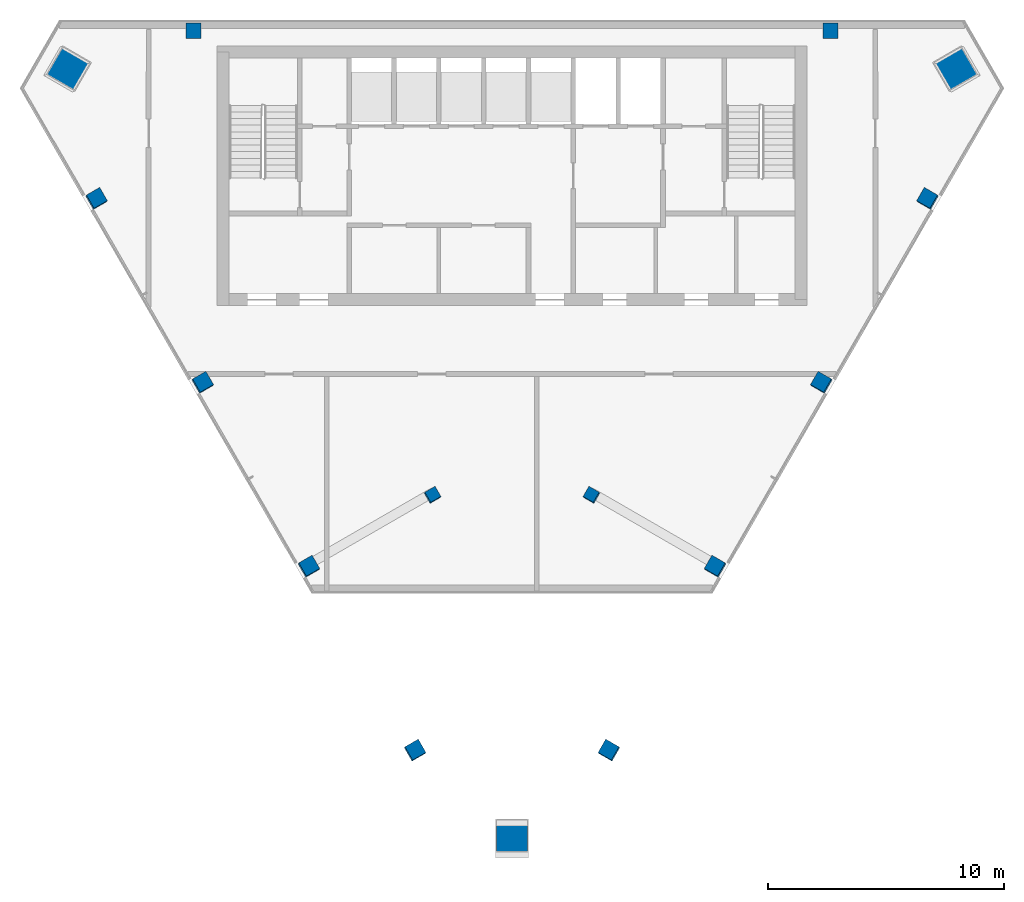
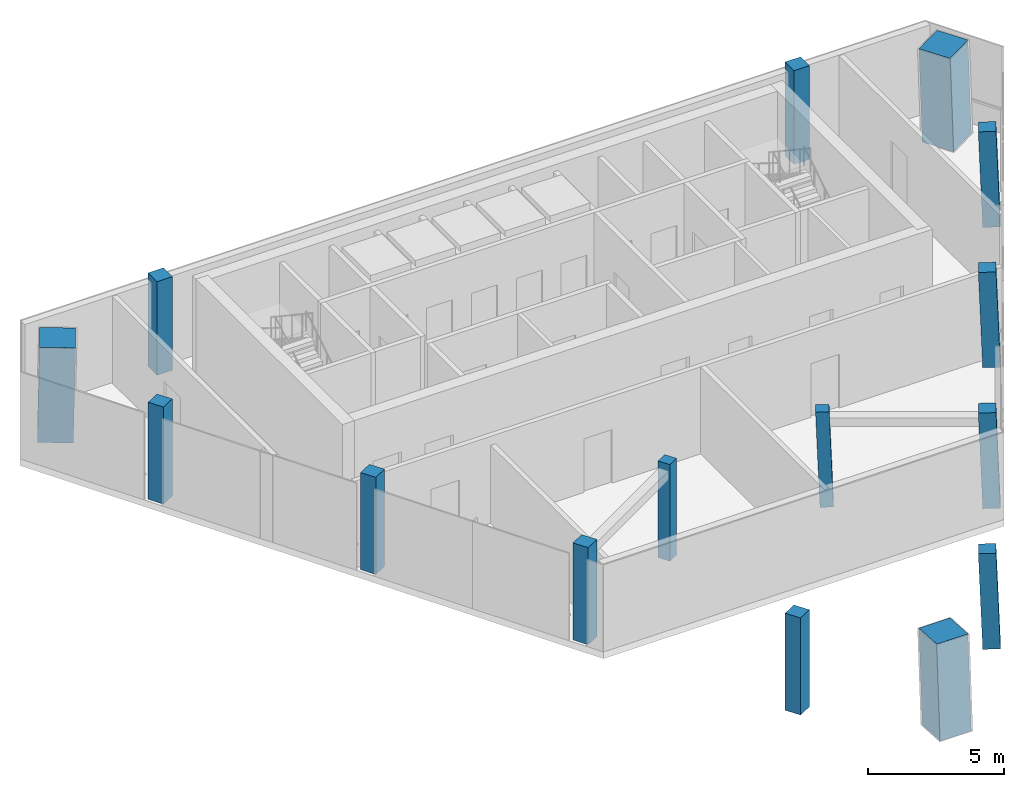
# One storey, part 1 of 8: 15 columns.
"""IFC4 building model written with IfcOpenShell, lengths in metres."""

from ifc_helpers import new_model, si_unit, direction, frame, origin, origin_2d, place, context, subcontext, project, spatial, rectangle, extrude, material, material_profile, profile_set, type_object, element, save


model = new_model("IFC4")

# Units and contexts
model_context = context("Model", 3, precision=1e-05, world=origin(), true_north=direction((0.0, 1.0)))
body_context = subcontext(model_context, "Body", "Model", "MODEL_VIEW")
ifc_project = project(units=[si_unit("LENGTHUNIT", "METRE"), si_unit("AREAUNIT", "SQUARE_METRE"), si_unit("VOLUMEUNIT", "CUBIC_METRE"), si_unit("PLANEANGLEUNIT", "RADIAN"), si_unit("MASSUNIT", "GRAM", prefix="KILO")], contexts=[model_context])

# Site, building, storey
site_placement = place(None, origin())
site = spatial("IfcSite", under=ifc_project, at=site_placement, CompositionType="ELEMENT")
building_placement = place(site_placement, origin())
building = spatial("IfcBuilding", under=site, at=building_placement, Name="Altiplano Prism Tower", CompositionType="ELEMENT")
storey_placement = place(building_placement, frame((0.0, 0.0, 338.800048828125)))
storey = spatial("IfcBuildingStorey", under=building, at=storey_placement, Name="L88", CompositionType="ELEMENT", Elevation=338.800048828125)

# Columns
ifc_material_1 = material(Name="Concrete C60/75", Category="concrete")
ifc_material_profile_1 = material_profile(ifc_material_1, rectangle(XDim=0.5, YDim=0.5, at=origin_2d()), Name="Inner column 500")
ifc_profile_set_1 = profile_set([ifc_material_profile_1], Name="Concrete C60/75")
column_type_1 = type_object("IfcColumnType", Name="Inner column 500", PredefinedType="COLUMN", material=ifc_profile_set_1)
for number, where, z_axis, x_axis, name in (
    (1, (81.620361328125, 84.85205078125, -0.01513671875), (0.022183545815, 0.038443736465, 0.999014499105), (-0.865481227636, -0.499464431597, 0.038438602725), "Inner column I13 L88"),
    (2, (88.379638671875, 84.85205078125, -0.01513671875), (-0.022183545815, 0.038443736465, 0.999014499105), (-0.500449932466, -0.865480999616, 0.022192440129), "Inner column I22 L88"),
):
    element("IfcColumn", number, at=place(storey_placement, frame(where, z_axis=z_axis, x_axis=x_axis)), inside=storey, type_object=column_type_1, Name=name, PredefinedType="COLUMN", context=body_context, shape_type="SweptSolid", body=[
        extrude(rectangle(XDim=0.5, YDim=0.5, at=origin_2d()), origin(), (0.0, 0.0, 1.0), 4.2041015625),
    ])
ifc_material_2 = material(Name="Concrete C70/85", Category="concrete")
ifc_material_profile_2 = material_profile(ifc_material_2, rectangle(XDim=1.320068359375, YDim=1.320068359375, at=origin_2d()), Name="Mega column infill 1400")
ifc_profile_set_2 = profile_set([ifc_material_profile_2], Name="Concrete C70/85")
column_type_2 = type_object("IfcColumnType", Name="Mega column infill 1400", PredefinedType="COLUMN", material=ifc_profile_set_2)
column_1_placement = place(storey_placement, frame((66.10888671875, 102.906494140625, 0.0), z_axis=(0.028412585289, 0.009238447977, 0.999553588396), x_axis=(-0.865379574523, 0.500718845558, 0.019970721124)))
element("IfcColumn", 3, at=column_1_placement, inside=storey, type_object=column_type_2, Name="Mega column M0 L88", PredefinedType="COLUMN", context=body_context, shape_type="SweptSolid", body=[
    extrude(rectangle(XDim=1.320068359375, YDim=1.320068359375, at=origin_2d()), origin(), (0.0, 0.0, 1.0), 4.201904296875),
])
column_2_placement = place(storey_placement, frame((85.0, 70.186279296875, 0.0), z_axis=(0.0, 0.058320606545, 0.998297904862), x_axis=(-1.0, 0.0, 0.0)))
element("IfcColumn", 4, at=column_2_placement, inside=storey, type_object=column_type_2, Name="Mega column M1 L88", PredefinedType="COLUMN", context=body_context, shape_type="SweptSolid", body=[
    extrude(rectangle(XDim=1.320068359375, YDim=1.320068359375, at=origin_2d()), origin(), (0.0, 0.0, 1.0), 4.20703125),
])
column_3_placement = place(storey_placement, frame((103.89111328125, 102.906494140625, 0.0), z_axis=(-0.028412585289, 0.009238447977, 0.999553588396), x_axis=(0.500310820387, -0.865560678856, 0.022221481085)))
element("IfcColumn", 5, at=column_3_placement, inside=storey, type_object=column_type_2, Name="Mega column M2 L88", PredefinedType="COLUMN", context=body_context, shape_type="SweptSolid", body=[
    extrude(rectangle(XDim=1.320068359375, YDim=1.320068359375, at=origin_2d()), origin(), (0.0, 0.0, 1.0), 4.201904296875),
])
ifc_material_profile_3 = material_profile(ifc_material_1, rectangle(XDim=0.64990234375, YDim=0.64990234375, at=origin_2d()), Name="Perimeter column 650")
ifc_profile_set_3 = profile_set([ifc_material_profile_3], Name="Concrete C60/75")
column_type_3 = type_object("IfcColumnType", Name="Perimeter column 650", PredefinedType="COLUMN", material=ifc_profile_set_3)
for number, where, z_axis, x_axis, name in (
    (6, (98.5, 104.550048828125, 0.0), (0.0, 0.0, 1.0), (1.0, 0.0, 0.0), "Perimeter column P01 L88"),
    (7, (71.5, 104.550048828125, 0.0), (0.0, 0.0, 1.0), (1.0, 0.0, 0.0), "Perimeter column P04 L88"),
):
    element("IfcColumn", number, at=place(storey_placement, frame(where, z_axis=z_axis, x_axis=x_axis)), inside=storey, type_object=column_type_3, Name=name, PredefinedType="COLUMN", context=body_context, shape_type="SweptSolid", body=[
        extrude(rectangle(XDim=0.64990234375, YDim=0.64990234375, at=origin_2d()), origin(), (0.0, 0.0, 1.0), 4.199951171875),
    ])
for number, where, z_axis, x_axis, name in (
    (8, (67.380615234375, 97.415283203125, -0.019775390625), (0.022252955841, 0.038436923726, 0.999013217556), (-0.866196439405, -0.498221125167, 0.038463473583), "Perimeter column P11 L88"),
    (9, (71.880615234375, 89.62109375, -0.019775390625), (0.022252955841, 0.038436923726, 0.999013217556), (-0.866197772463, -0.498218812111, 0.038463414282), "Perimeter column P12 L88"),
    (10, (76.380615234375, 81.82666015625, -0.019775390625), (0.022252906366, 0.038494638025, 0.999010996437), (-0.86586851057, -0.498787477186, 0.038506817657), "Perimeter column P13 L88"),
    (11, (80.880615234375, 74.032470703125, -0.019775390625), (0.022252955841, 0.038436923726, 0.999013217556), (-0.866195489706, -0.498222773028, 0.03846351583), "Perimeter column P14 L88"),
    (12, (89.119384765625, 74.032470703125, -0.019775390625), (-0.022252955841, 0.038436923726, 0.999013217556), (-0.499209554766, -0.866196670122, 0.022206960602), "Perimeter column P21 L88"),
    (13, (93.619384765625, 81.82666015625, -0.019775390625), (-0.022252906366, 0.038494638025, 0.999010996437), (-0.499776480601, -0.865869052135, 0.022231823865), "Perimeter column P22 L88"),
    (14, (98.119384765625, 89.62109375, -0.019775390625), (-0.022252955841, 0.038436923726, 0.999013217556), (-0.499205593855, -0.866198948368, 0.022207136486), "Perimeter column P23 L88"),
    (15, (102.619384765625, 97.415283203125, -0.019775390625), (-0.022252955841, 0.038436923726, 0.999013217556), (-0.499207906907, -0.866197617944, 0.022207033775), "Perimeter column P24 L88"),
):
    element("IfcColumn", number, at=place(storey_placement, frame(where, z_axis=z_axis, x_axis=x_axis)), inside=storey, type_object=column_type_3, Name=name, PredefinedType="COLUMN", context=body_context, shape_type="SweptSolid", body=[
        extrude(rectangle(XDim=0.64990234375, YDim=0.64990234375, at=origin_2d()), origin(), (0.0, 0.0, 1.0), 4.223876953125),
    ])

save(model, "model.ifc")
